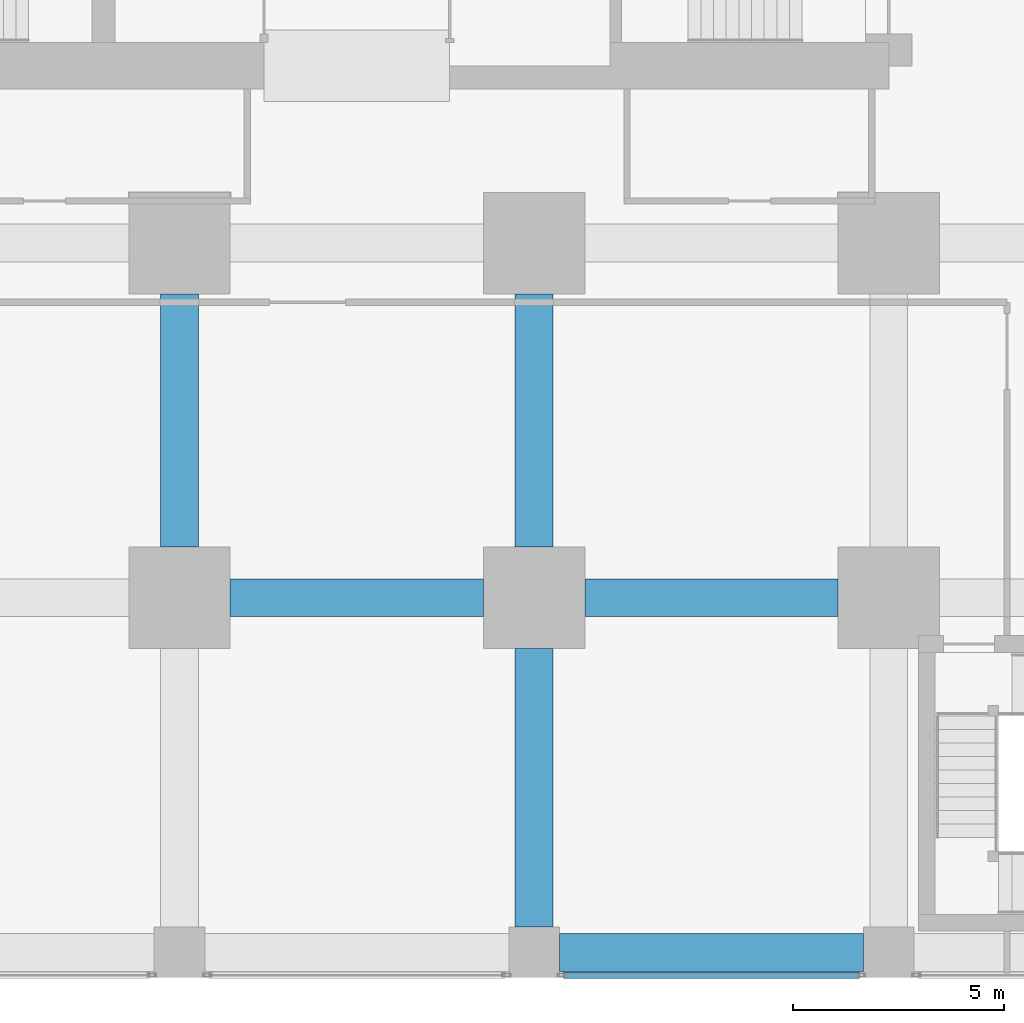
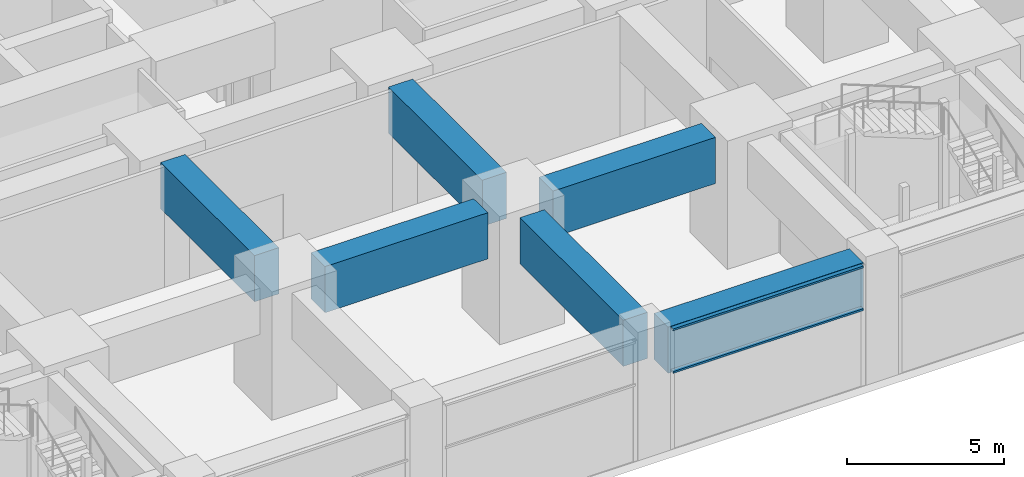
# One storey, part 14 of 48: 6 beams, 2 members, 1 element without a shape of its own.
"""IFC4 building model written with IfcOpenShell, lengths in metres."""

from ifc_helpers import new_model, si_unit, direction, frame, origin, origin_2d, place, context, subcontext, project, spatial, rectangle, hollow_rectangle, extrude, material, material_profile, profile_set, type_object, element, aggregate, save


model = new_model("IFC4")

# Units and contexts
model_context = context("Model", 3, precision=1e-05, world=origin(), true_north=direction((0.0, 1.0)))
body_context = subcontext(model_context, "Body", "Model", "MODEL_VIEW")
ifc_project = project(units=[si_unit("LENGTHUNIT", "METRE"), si_unit("AREAUNIT", "SQUARE_METRE"), si_unit("VOLUMEUNIT", "CUBIC_METRE"), si_unit("PLANEANGLEUNIT", "RADIAN"), si_unit("MASSUNIT", "GRAM", prefix="KILO")], contexts=[model_context])

# Site, building, storey
site_placement = place(None, origin())
site = spatial("IfcSite", under=ifc_project, at=site_placement, CompositionType="ELEMENT")
building_placement = place(site_placement, origin())
building = spatial("IfcBuilding", under=site, at=building_placement, Name="Rekha Terrace Tower", CompositionType="ELEMENT")
storey_placement = place(building_placement, frame((0.0, 0.0, 15.39990234375)))
storey = spatial("IfcBuildingStorey", under=building, at=storey_placement, Name="L03", CompositionType="ELEMENT", Elevation=15.39990234375)

# Curtain wall, members
ifc_material_1 = material(Name="Aluminium framing", Category="aluminium")
curtain_wall_type = type_object("IfcCurtainWallType", Name="CW4 podium shopfront glazing", PredefinedType="USERDEFINED", material=ifc_material_1)
curtain_wall_placement = place(storey_placement, origin())
curtain_wall = element("IfcCurtainWall", 1, at=curtain_wall_placement, inside=storey, type_object=curtain_wall_type, Name="CW4 shopfront curtain wall", ObjectType="SHOPFRONT CURTAIN WALL", PredefinedType="USERDEFINED")
ifc_material_2 = material(Name="Aluminium transom section", Category="aluminium")
ifc_material_profile_1 = material_profile(ifc_material_2, hollow_rectangle(XDim=0.14990234375, YDim=0.074951171875, WallThickness=0.0029296875, at=origin_2d()), Name="AL RHS 150x75")
ifc_profile_set_1 = profile_set([ifc_material_profile_1], Name="Aluminium transom section")
member_type = type_object("IfcMemberType", Name="CW4 transom RHS 75 x 150", PredefinedType="USERDEFINED", material=ifc_profile_set_1)
member_1_placement = place(storey_placement, frame((42.695068359375, -0.5400390625, 3.0), z_axis=(1.0, 0.0, 0.0), x_axis=(0.0, 1.0, 0.0)))
member_1 = element("IfcMember", 2, at=member_1_placement, type_object=member_type, Name="CW4 transom 1.2", ObjectType="TRANSOM", PredefinedType="USERDEFINED", context=body_context, shape_type="SweptSolid", body=[
    extrude(hollow_rectangle(XDim=0.14990234375, YDim=0.074951171875, WallThickness=0.0029296875, at=origin_2d()), origin(), (0.0, 0.0, 1.0), 7.010009765625),
])
member_2_placement = place(storey_placement, frame((42.695068359375, -0.5400390625, 4.66259765625), z_axis=(1.0, 0.0, 0.0), x_axis=(0.0, 1.0, 0.0)))
member_2 = element("IfcMember", 3, at=member_2_placement, type_object=member_type, Name="CW4 transom 1.3", ObjectType="TRANSOM", PredefinedType="USERDEFINED", context=body_context, shape_type="SweptSolid", body=[
    extrude(hollow_rectangle(XDim=0.14990234375, YDim=0.074951171875, WallThickness=0.0029296875, at=origin_2d()), origin(), (0.0, 0.0, 1.0), 7.010009765625),
])
aggregate(curtain_wall, [member_1, member_2])

# Beams
ifc_material_3 = material(Name="Concrete M60", Category="concrete")
ifc_material_profile_2 = material_profile(ifc_material_3, rectangle(XDim=0.89990234375, YDim=1.800048828125, at=origin_2d()), Name="RC 900x1800")
ifc_profile_set_2 = profile_set([ifc_material_profile_2], Name="Concrete M60")
beam_type = type_object("IfcBeamType", Name="G1 900x1800 podium floor beam", PredefinedType="BEAM", material=ifc_profile_set_2)
for number, where, z_axis, x_axis, name in (
    (4, (34.800048828125, 8.39990234375, 3.800048828125), (1.0, 0.0, 0.0), (0.0, 1.0, 0.0), "Beam G1 5B-6B under L04"),
    (5, (33.60009765625, 9.60009765625, 3.800048828125), (0.0, 1.0, 0.0), (-1.0, 0.0, 0.0), "Beam G1 5B-5C under L04"),
):
    element("IfcBeam", number, at=place(storey_placement, frame(where, z_axis=z_axis, x_axis=x_axis)), inside=storey, type_object=beam_type, Name=name, PredefinedType="BEAM", context=body_context, shape_type="SweptSolid", body=[
        extrude(rectangle(XDim=0.89990234375, YDim=1.800048828125, at=origin_2d()), origin(), (0.0, 0.0, 1.0), 6.0),
    ])
beam_1_placement = place(storey_placement, frame((42.60009765625, 0.0, 3.800048828125), z_axis=(1.0, 0.0, 0.0), x_axis=(0.0, 1.0, 0.0)))
element("IfcBeam", 6, at=beam_1_placement, inside=storey, type_object=beam_type, Name="Beam G1 6A-7A under L04", PredefinedType="BEAM", context=body_context, shape_type="SweptSolid", body=[
    extrude(rectangle(XDim=0.89990234375, YDim=1.800048828125, at=origin_2d()), origin(), (0.0, 0.0, 1.0), 7.199951171875),
])
beam_2_placement = place(storey_placement, frame((42.0, 0.60009765625, 3.800048828125), z_axis=(0.0, 1.0, 0.0), x_axis=(-1.0, 0.0, 0.0)))
element("IfcBeam", 7, at=beam_2_placement, inside=storey, type_object=beam_type, Name="Beam G1 6A-6B under L04", PredefinedType="BEAM", context=body_context, shape_type="SweptSolid", body=[
    extrude(rectangle(XDim=0.89990234375, YDim=1.800048828125, at=origin_2d()), origin(), (0.0, 0.0, 1.0), 6.599853515625),
])
for number, where, z_axis, x_axis, name in (
    (8, (43.199951171875, 8.39990234375, 3.800048828125), (1.0, 0.0, 0.0), (0.0, 1.0, 0.0), "Beam G1 6B-7B under L04"),
    (9, (42.0, 9.60009765625, 3.800048828125), (0.0, 1.0, 0.0), (-1.0, 0.0, 0.0), "Beam G1 6B-6C under L04"),
):
    element("IfcBeam", number, at=place(storey_placement, frame(where, z_axis=z_axis, x_axis=x_axis)), inside=storey, type_object=beam_type, Name=name, PredefinedType="BEAM", context=body_context, shape_type="SweptSolid", body=[
        extrude(rectangle(XDim=0.89990234375, YDim=1.800048828125, at=origin_2d()), origin(), (0.0, 0.0, 1.0), 6.0),
    ])

save(model, "model.ifc")
